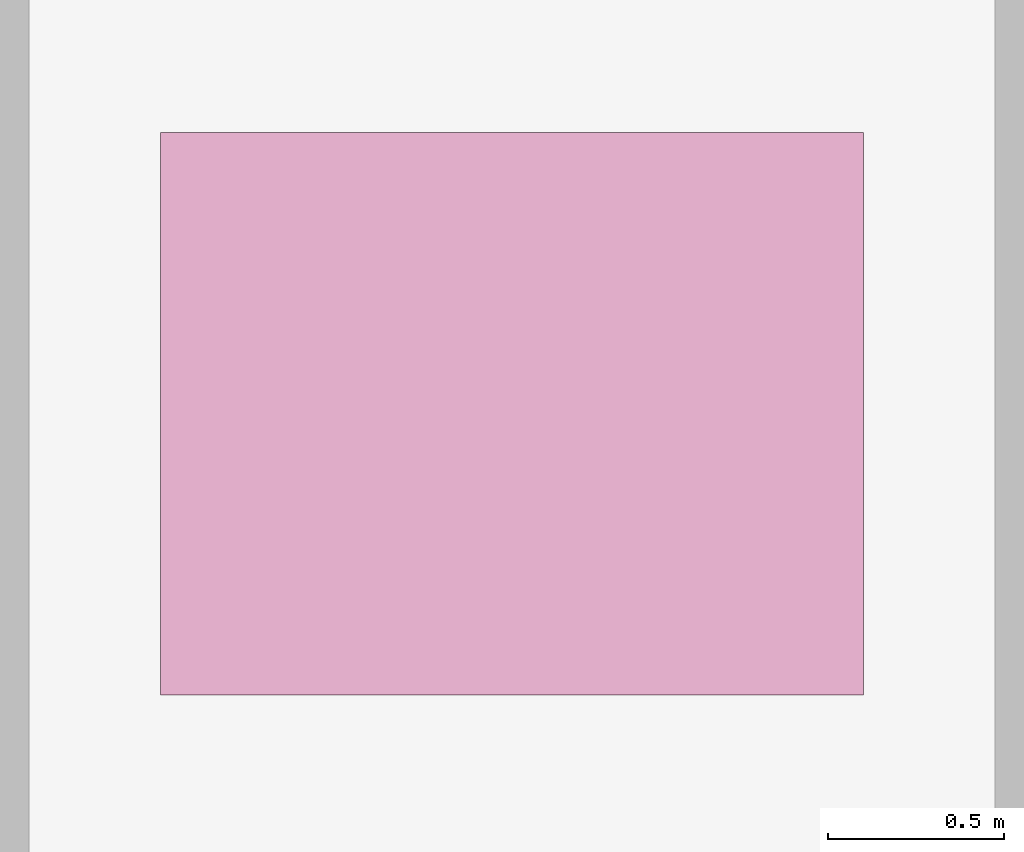
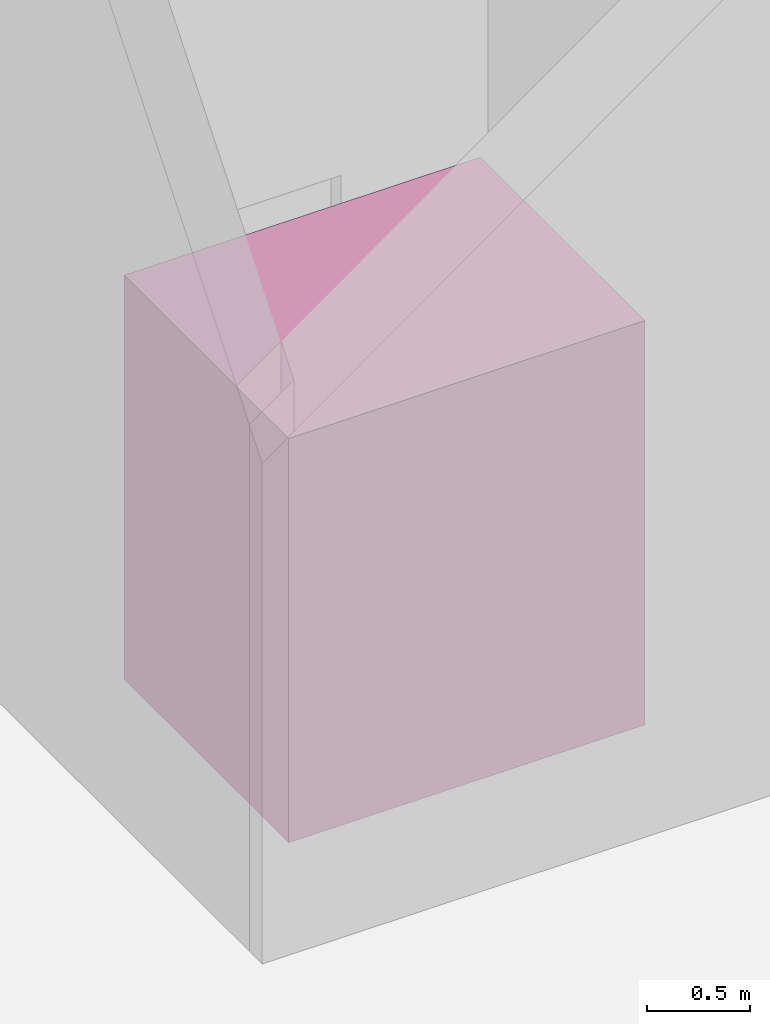
# One storey, part 17 of 17: 1 transport element.
"""IFC4 building model written with IfcOpenShell, lengths in metres."""

from ifc_helpers import new_model, si_unit, direction, frame, origin, origin_2d, place, context, subcontext, project, spatial, rectangle, extrude, material, type_object, element, save


model = new_model("IFC4")

# Units and contexts
model_context = context("Model", 3, precision=1e-05, world=origin(), true_north=direction((0.0, 1.0)))
body_context = subcontext(model_context, "Body", "Model", "MODEL_VIEW")
ifc_project = project(units=[si_unit("LENGTHUNIT", "METRE"), si_unit("AREAUNIT", "SQUARE_METRE"), si_unit("VOLUMEUNIT", "CUBIC_METRE"), si_unit("PLANEANGLEUNIT", "RADIAN"), si_unit("MASSUNIT", "GRAM", prefix="KILO")], contexts=[model_context])

# Site, building, storey
site_placement = place(None, origin())
site = spatial("IfcSite", under=ifc_project, at=site_placement, CompositionType="ELEMENT")
building_placement = place(site_placement, origin())
building = spatial("IfcBuilding", under=site, at=building_placement, Name="Corbelhall Arena Tower", CompositionType="ELEMENT")
storey_placement = place(building_placement, frame((0.0, 0.0, 350.0)))
storey = spatial("IfcBuildingStorey", under=building, at=storey_placement, Name="L77", CompositionType="ELEMENT", Elevation=350.0)

# Transport element
ifc_material = material(Name="Stainless steel A4", Category="steel")
transport_element_type = type_object("IfcTransportElementType", Name="IN-LF-CL", PredefinedType="ELEVATOR", material=ifc_material)
transport_element_placement = place(storey_placement, frame((0.0, 15.300048828125, 0.0), z_axis=(0.0, 0.0, 1.0), x_axis=(1.0, 0.0, 0.0)))
element("IfcTransportElement", 1, at=transport_element_placement, inside=storey, type_object=transport_element_type, Name="Crown service lift CL1", PredefinedType="ELEVATOR", context=body_context, shape_type="SweptSolid", body=[
    extrude(rectangle(XDim=2.0, YDim=1.60009765625, at=origin_2d()), origin(), (0.0, 0.0, 1.0), 2.39990234375),
])

save(model, "model.ifc")
